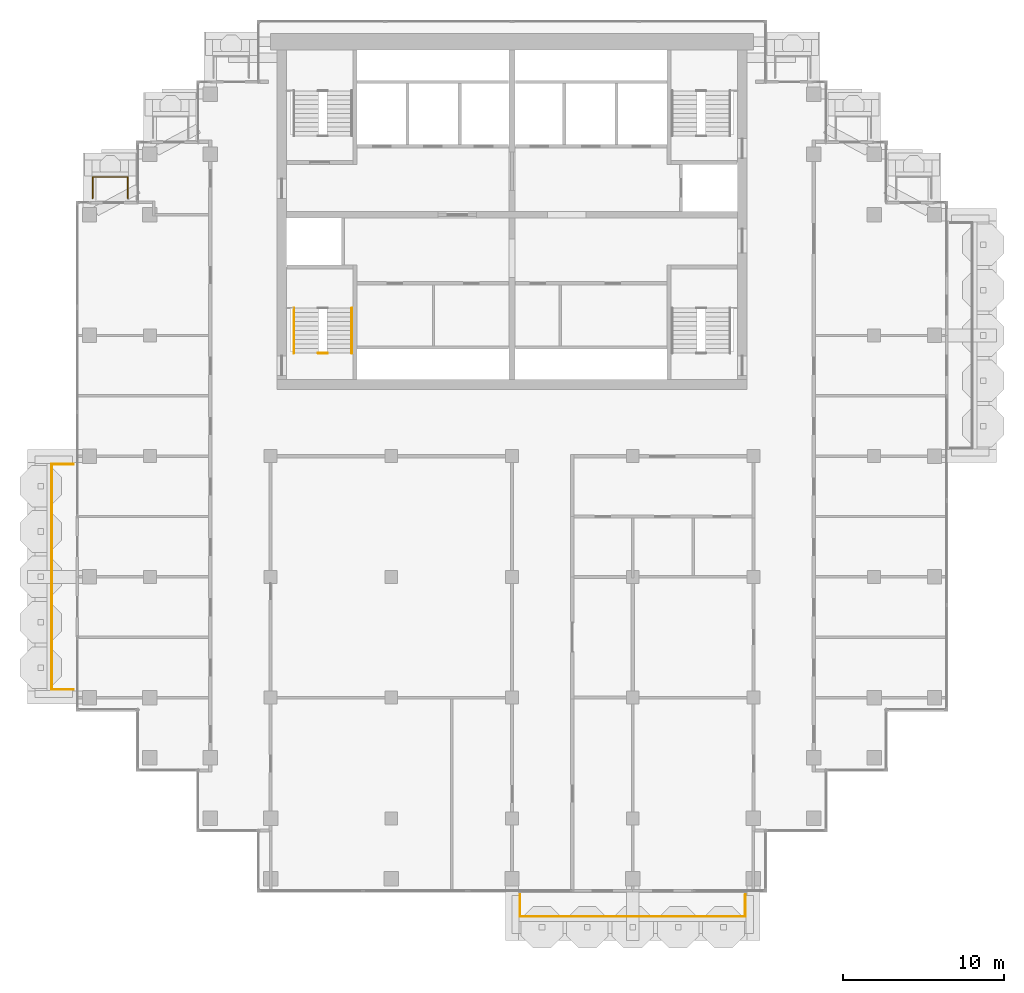
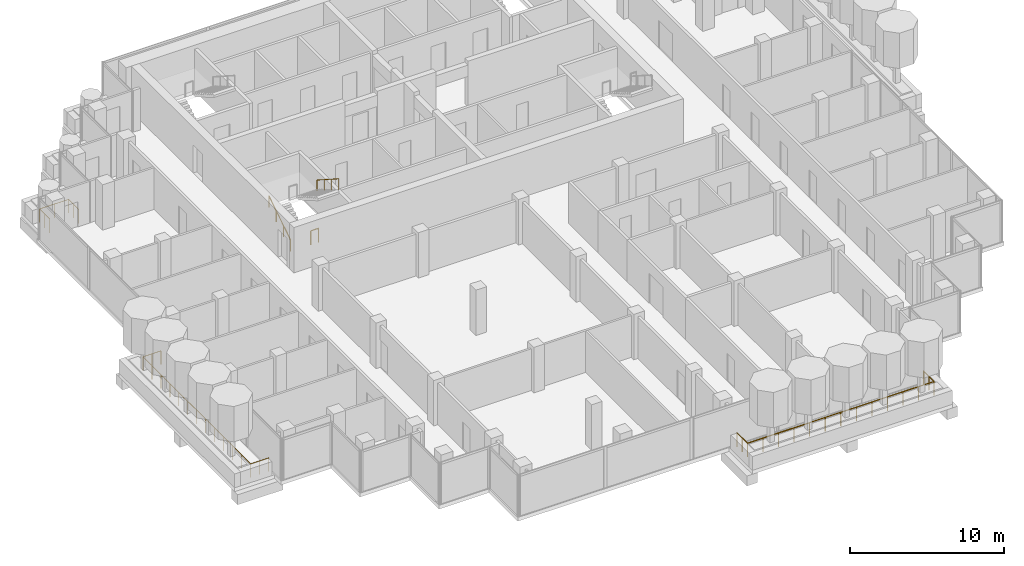
# One storey, part 16 of 19: 6 railings.
"""IFC4 building model written with IfcOpenShell, lengths in metres."""

from ifc_helpers import new_model, si_unit, direction, frame, origin, origin_2d, place, context, subcontext, project, spatial, circle, extrude, material, type_object, element, save


model = new_model("IFC4")

# Units and contexts
model_context = context("Model", 3, precision=1e-05, world=origin(), true_north=direction((0.0, 1.0)))
body_context = subcontext(model_context, "Body", "Model", "MODEL_VIEW")
ifc_project = project(units=[si_unit("LENGTHUNIT", "METRE"), si_unit("AREAUNIT", "SQUARE_METRE"), si_unit("VOLUMEUNIT", "CUBIC_METRE"), si_unit("PLANEANGLEUNIT", "RADIAN"), si_unit("MASSUNIT", "GRAM", prefix="KILO")], contexts=[model_context])

# Site, building, storey
site_placement = place(None, origin())
site = spatial("IfcSite", under=ifc_project, at=site_placement, CompositionType="ELEMENT")
building_placement = place(site_placement, origin())
building = spatial("IfcBuilding", under=site, at=building_placement, Name="Pilkhan Gate Tower", CompositionType="ELEMENT")
storey_placement = place(building_placement, frame((0.0, 0.0, 239.10009765625)))
storey = spatial("IfcBuildingStorey", under=building, at=storey_placement, Name="L62", CompositionType="ELEMENT", Elevation=239.10009765625)

# Railings
ifc_material_1 = material(Name="Pale anodised aluminium posts, laminated glass infill", Category="aluminium")
railing_type_1 = type_object("IfcRailingType", Name="Balcony guard G1", PredefinedType="BALUSTRADE", material=ifc_material_1)
railing_1_placement = place(storey_placement, frame((75.5, 40.25, 0.0)))
element("IfcRailing", 1, at=railing_1_placement, inside=storey, type_object=railing_type_1, Name="Balcony guard L62 S", PredefinedType="BALUSTRADE", context=body_context, shape_type="SweptSolid", body=[
    extrude(circle(Radius=0.02392578125, at=origin_2d()), frame((0.0, 0.0, 1.076171875), z_axis=(0.0, -1.0, 0.0), x_axis=(1.0, 0.0, 0.0)), (0.0, 0.0, 1.0), 1.35009765625),
    extrude(circle(Radius=0.02392578125, at=origin_2d()), frame((0.0, -1.35009765625, 1.076171875), z_axis=(1.0, 0.0, 0.0), x_axis=(0.0, 1.0, 0.0)), (0.0, 0.0, 1.0), 14.0),
    extrude(circle(Radius=0.02392578125, at=origin_2d()), frame((14.0, -1.35009765625, 1.076171875), z_axis=(0.0, 1.0, 0.0), x_axis=(-1.0, 0.0, 0.0)), (0.0, 0.0, 1.0), 1.35009765625),
    extrude(circle(Radius=0.02099609375, at=origin_2d()), origin(), (0.0, 0.0, 1.0), 1.052001953125),
    extrude(circle(Radius=0.02099609375, at=origin_2d()), frame((0.0, -0.675048828125, 0.0)), (0.0, 0.0, 1.0), 1.052001953125),
    extrude(circle(Radius=0.02099609375, at=origin_2d()), frame((0.0, -1.35009765625, 0.0)), (0.0, 0.0, 1.0), 1.052001953125),
    extrude(circle(Radius=0.02099609375, at=origin_2d()), frame((1.166748046875, -1.35009765625, 0.0)), (0.0, 0.0, 1.0), 1.052001953125),
    extrude(circle(Radius=0.02099609375, at=origin_2d()), frame((2.333251953125, -1.35009765625, 0.0)), (0.0, 0.0, 1.0), 1.052001953125),
    extrude(circle(Radius=0.02099609375, at=origin_2d()), frame((3.5, -1.35009765625, 0.0)), (0.0, 0.0, 1.0), 1.052001953125),
    extrude(circle(Radius=0.02099609375, at=origin_2d()), frame((4.666748046875, -1.35009765625, 0.0)), (0.0, 0.0, 1.0), 1.052001953125),
    extrude(circle(Radius=0.02099609375, at=origin_2d()), frame((5.833251953125, -1.35009765625, 0.0)), (0.0, 0.0, 1.0), 1.052001953125),
    extrude(circle(Radius=0.02099609375, at=origin_2d()), frame((7.0, -1.35009765625, 0.0)), (0.0, 0.0, 1.0), 1.052001953125),
    extrude(circle(Radius=0.02099609375, at=origin_2d()), frame((8.166748046875, -1.35009765625, 0.0)), (0.0, 0.0, 1.0), 1.052001953125),
    extrude(circle(Radius=0.02099609375, at=origin_2d()), frame((9.333251953125, -1.35009765625, 0.0)), (0.0, 0.0, 1.0), 1.052001953125),
    extrude(circle(Radius=0.02099609375, at=origin_2d()), frame((10.5, -1.35009765625, 0.0)), (0.0, 0.0, 1.0), 1.052001953125),
    extrude(circle(Radius=0.02099609375, at=origin_2d()), frame((11.666748046875, -1.35009765625, 0.0)), (0.0, 0.0, 1.0), 1.052001953125),
    extrude(circle(Radius=0.02099609375, at=origin_2d()), frame((12.833251953125, -1.35009765625, 0.0)), (0.0, 0.0, 1.0), 1.052001953125),
    extrude(circle(Radius=0.02099609375, at=origin_2d()), frame((14.0, -1.35009765625, 0.0)), (0.0, 0.0, 1.0), 1.052001953125),
    extrude(circle(Radius=0.02099609375, at=origin_2d()), frame((14.0, -0.675048828125, 0.0)), (0.0, 0.0, 1.0), 1.052001953125),
    extrude(circle(Radius=0.02099609375, at=origin_2d()), frame((14.0, 0.0, 0.0)), (0.0, 0.0, 1.0), 1.052001953125),
])
railing_2_placement = place(storey_placement, frame((48.949951171875, 83.52001953125, 0.0)))
element("IfcRailing", 2, at=railing_2_placement, inside=storey, type_object=railing_type_1, Name="Balcony guard L62 N", PredefinedType="BALUSTRADE", context=body_context, shape_type="SweptSolid", body=[
    extrude(circle(Radius=0.02392578125, at=origin_2d()), frame((0.0, 0.0, 1.076171875), z_axis=(0.0, 1.0, 0.0), x_axis=(-1.0, 0.0, 0.0)), (0.0, 0.0, 1.0), 1.330078125),
    extrude(circle(Radius=0.02392578125, at=origin_2d()), frame((0.0, 1.330078125, 1.076171875), z_axis=(1.0, 0.0, 0.0), x_axis=(0.0, 1.0, 0.0)), (0.0, 0.0, 1.0), 2.179931640625),
    extrude(circle(Radius=0.02392578125, at=origin_2d()), frame((2.179931640625, 1.330078125, 1.076171875), z_axis=(0.0, -1.0, 0.0), x_axis=(1.0, 0.0, 0.0)), (0.0, 0.0, 1.0), 1.330078125),
    extrude(circle(Radius=0.02099609375, at=origin_2d()), origin(), (0.0, 0.0, 1.0), 1.052001953125),
    extrude(circle(Radius=0.02099609375, at=origin_2d()), frame((0.0, 0.6650390625, 0.0)), (0.0, 0.0, 1.0), 1.052001953125),
    extrude(circle(Radius=0.02099609375, at=origin_2d()), frame((0.0, 1.330078125, 0.0)), (0.0, 0.0, 1.0), 1.052001953125),
    extrude(circle(Radius=0.02099609375, at=origin_2d()), frame((1.08984375, 1.330078125, 0.0)), (0.0, 0.0, 1.0), 1.052001953125),
    extrude(circle(Radius=0.02099609375, at=origin_2d()), frame((2.179931640625, 1.330078125, 0.0)), (0.0, 0.0, 1.0), 1.052001953125),
    extrude(circle(Radius=0.02099609375, at=origin_2d()), frame((2.179931640625, 0.6650390625, 0.0)), (0.0, 0.0, 1.0), 1.052001953125),
    extrude(circle(Radius=0.02099609375, at=origin_2d()), frame((2.179931640625, 0.0, 0.0)), (0.0, 0.0, 1.0), 1.052001953125),
])
railing_3_placement = place(storey_placement, frame((47.75, 53.0, 0.0)))
element("IfcRailing", 3, at=railing_3_placement, inside=storey, type_object=railing_type_1, Name="Balcony guard L62 W", PredefinedType="BALUSTRADE", context=body_context, shape_type="SweptSolid", body=[
    extrude(circle(Radius=0.02392578125, at=origin_2d()), frame((0.0, 0.0, 1.076171875), z_axis=(-1.0, 0.0, 0.0), x_axis=(0.0, -1.0, 0.0)), (0.0, 0.0, 1.0), 1.35009765625),
    extrude(circle(Radius=0.02392578125, at=origin_2d()), frame((-1.35009765625, 0.0, 1.076171875), z_axis=(0.0, 1.0, 0.0), x_axis=(-1.0, 0.0, 0.0)), (0.0, 0.0, 1.0), 14.0),
    extrude(circle(Radius=0.02392578125, at=origin_2d()), frame((-1.35009765625, 14.0, 1.076171875), z_axis=(1.0, 0.0, 0.0), x_axis=(0.0, 1.0, 0.0)), (0.0, 0.0, 1.0), 1.35009765625),
    extrude(circle(Radius=0.02099609375, at=origin_2d()), origin(), (0.0, 0.0, 1.0), 1.052001953125),
    extrude(circle(Radius=0.02099609375, at=origin_2d()), frame((-0.675048828125, 0.0, 0.0)), (0.0, 0.0, 1.0), 1.052001953125),
    extrude(circle(Radius=0.02099609375, at=origin_2d()), frame((-1.35009765625, 0.0, 0.0)), (0.0, 0.0, 1.0), 1.052001953125),
    extrude(circle(Radius=0.02099609375, at=origin_2d()), frame((-1.35009765625, 1.166748046875, 0.0)), (0.0, 0.0, 1.0), 1.052001953125),
    extrude(circle(Radius=0.02099609375, at=origin_2d()), frame((-1.35009765625, 2.333251953125, 0.0)), (0.0, 0.0, 1.0), 1.052001953125),
    extrude(circle(Radius=0.02099609375, at=origin_2d()), frame((-1.35009765625, 3.5, 0.0)), (0.0, 0.0, 1.0), 1.052001953125),
    extrude(circle(Radius=0.02099609375, at=origin_2d()), frame((-1.35009765625, 4.666748046875, 0.0)), (0.0, 0.0, 1.0), 1.052001953125),
    extrude(circle(Radius=0.02099609375, at=origin_2d()), frame((-1.35009765625, 5.833251953125, 0.0)), (0.0, 0.0, 1.0), 1.052001953125),
    extrude(circle(Radius=0.02099609375, at=origin_2d()), frame((-1.35009765625, 7.0, 0.0)), (0.0, 0.0, 1.0), 1.052001953125),
    extrude(circle(Radius=0.02099609375, at=origin_2d()), frame((-1.35009765625, 8.166748046875, 0.0)), (0.0, 0.0, 1.0), 1.052001953125),
    extrude(circle(Radius=0.02099609375, at=origin_2d()), frame((-1.35009765625, 9.333251953125, 0.0)), (0.0, 0.0, 1.0), 1.052001953125),
    extrude(circle(Radius=0.02099609375, at=origin_2d()), frame((-1.35009765625, 10.5, 0.0)), (0.0, 0.0, 1.0), 1.052001953125),
    extrude(circle(Radius=0.02099609375, at=origin_2d()), frame((-1.35009765625, 11.666748046875, 0.0)), (0.0, 0.0, 1.0), 1.052001953125),
    extrude(circle(Radius=0.02099609375, at=origin_2d()), frame((-1.35009765625, 12.833251953125, 0.0)), (0.0, 0.0, 1.0), 1.052001953125),
    extrude(circle(Radius=0.02099609375, at=origin_2d()), frame((-1.35009765625, 14.0, 0.0)), (0.0, 0.0, 1.0), 1.052001953125),
    extrude(circle(Radius=0.02099609375, at=origin_2d()), frame((-0.675048828125, 14.0, 0.0)), (0.0, 0.0, 1.0), 1.052001953125),
    extrude(circle(Radius=0.02099609375, at=origin_2d()), frame((0.0, 14.0, 0.0)), (0.0, 0.0, 1.0), 1.052001953125),
])
ifc_material_2 = material(Name="Black powder-coated steel tube", Category="steel")
railing_type_2 = type_object("IfcRailingType", Name="Stair handrail HR1", PredefinedType="HANDRAIL", material=ifc_material_2)
railing_4_placement = place(storey_placement, frame((61.449951171875, 73.89990234375, 0.0)))
element("IfcRailing", 4, at=railing_4_placement, inside=storey, type_object=railing_type_2, Name="Stair ST2 handrail L62", PredefinedType="HANDRAIL", context=body_context, shape_type="SweptSolid", body=[
    extrude(circle(Radius=0.02392578125, at=origin_2d()), frame((0.0, 0.0, 0.8759765625), z_axis=(0.0, 0.841209454229, 0.540709398952), x_axis=(-1.0, 0.0, 0.0)), (0.0, 0.0, 1.0), 3.32861328125),
    extrude(circle(Radius=0.02099609375, at=origin_2d()), origin(), (0.0, 0.0, 1.0), 0.851806640625),
    extrude(circle(Radius=0.02099609375, at=origin_2d()), frame((0.0, 0.933349609375, 0.599853515625)), (0.0, 0.0, 1.0), 0.851806640625),
    extrude(circle(Radius=0.02099609375, at=origin_2d()), frame((0.0, 1.86669921875, 1.199951171875)), (0.0, 0.0, 1.0), 0.851806640625),
    extrude(circle(Radius=0.02099609375, at=origin_2d()), frame((0.0, 2.800048828125, 1.7998046875)), (0.0, 0.0, 1.0), 0.851806640625),
])
railing_5_placement = place(storey_placement, frame((65.050048828125, 76.699951171875, 1.7998046875)))
element("IfcRailing", 5, at=railing_5_placement, inside=storey, type_object=railing_type_2, Name="Stair ST2 handrail L62", PredefinedType="HANDRAIL", context=body_context, shape_type="SweptSolid", body=[
    extrude(circle(Radius=0.02392578125, at=origin_2d()), frame((0.0, 0.0, 0.8759765625), z_axis=(0.0, -0.841176092368, 0.540761298198), x_axis=(1.0, 0.0, 0.0)), (0.0, 0.0, 1.0), 3.32861328125),
    extrude(circle(Radius=0.02099609375, at=origin_2d()), origin(), (0.0, 0.0, 1.0), 0.851806640625),
    extrude(circle(Radius=0.02099609375, at=origin_2d()), frame((0.0, -0.933349609375, 0.60009765625)), (0.0, 0.0, 1.0), 0.851806640625),
    extrude(circle(Radius=0.02099609375, at=origin_2d()), frame((0.0, -1.86669921875, 1.199951171875)), (0.0, 0.0, 1.0), 0.851806640625),
    extrude(circle(Radius=0.02099609375, at=origin_2d()), frame((0.0, -2.800048828125, 1.800048828125)), (0.0, 0.0, 1.0), 0.851806640625),
])
ifc_material_3 = material(Name="Black powder-coated steel balusters", Category="steel")
railing_type_3 = type_object("IfcRailingType", Name="Stair well guard G3", PredefinedType="GUARDRAIL", material=ifc_material_3)
railing_6_placement = place(storey_placement, frame((62.9599609375, 73.89990234375, 0.0)))
element("IfcRailing", 6, at=railing_6_placement, inside=storey, type_object=railing_type_3, Name="Stair ST2 well guard L62", PredefinedType="GUARDRAIL", context=body_context, shape_type="SweptSolid", body=[
    extrude(circle(Radius=0.02392578125, at=origin_2d()), frame((0.0, 0.0, 1.076171875), z_axis=(1.0, 0.0, 0.0), x_axis=(0.0, 1.0, 0.0)), (0.0, 0.0, 1.0), 0.580078125),
    extrude(circle(Radius=0.02099609375, at=origin_2d()), origin(), (0.0, 0.0, 1.0), 1.052001953125),
    extrude(circle(Radius=0.02099609375, at=origin_2d()), frame((0.580078125, 0.0, 0.0)), (0.0, 0.0, 1.0), 1.052001953125),
])

save(model, "model.ifc")
